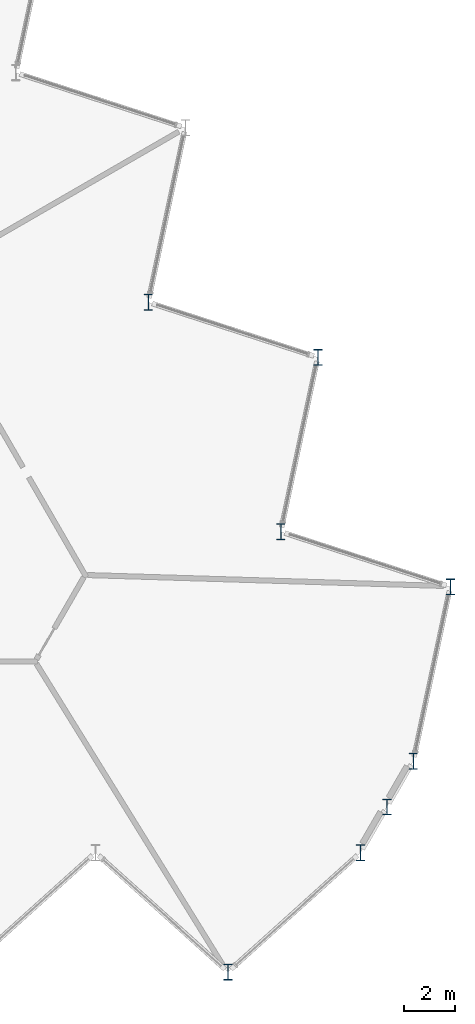
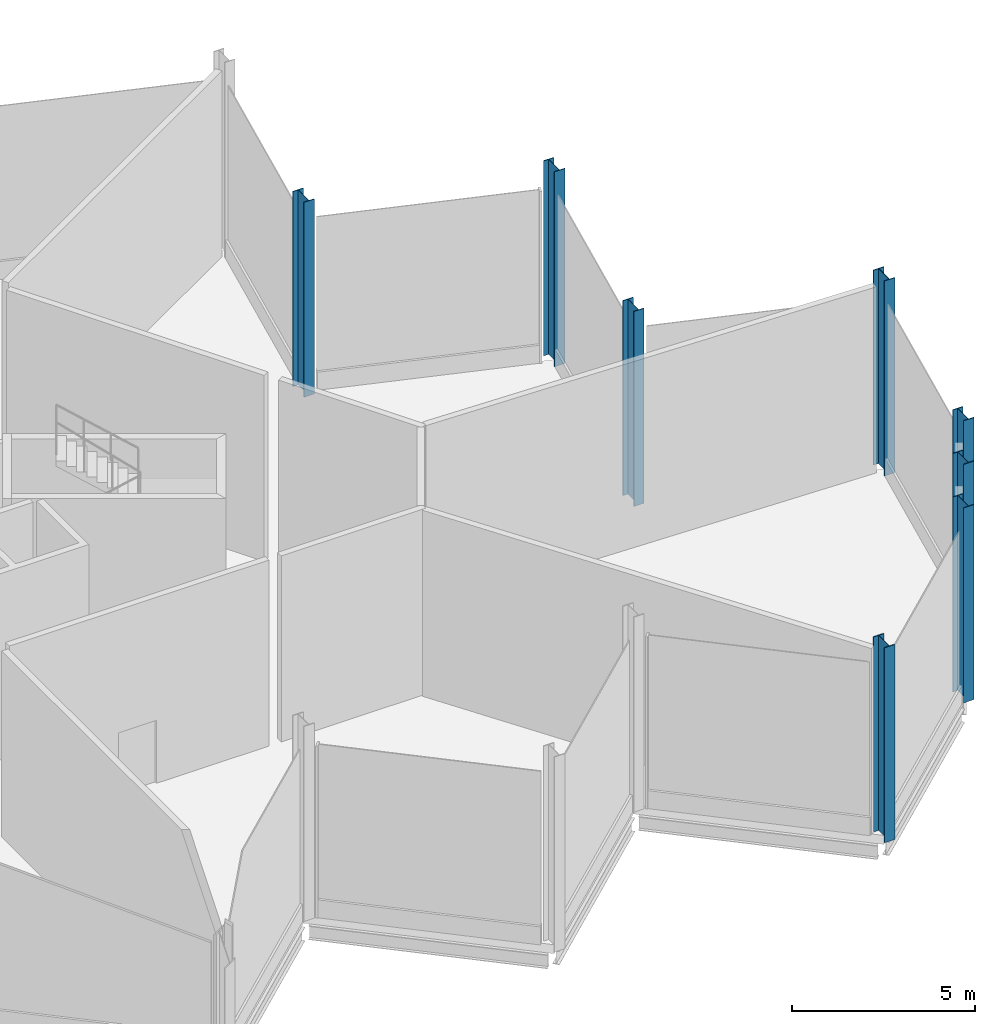
# One storey, part 2 of 12: 8 columns.
"""IFC4 building model written with IfcOpenShell, lengths in metres."""

from ifc_helpers import new_model, si_unit, direction, frame, origin, origin_2d, place, context, subcontext, project, spatial, i_section, extrude, material, material_profile, profile_set, type_object, element, save


model = new_model("IFC4")

# Units and contexts
model_context = context("Model", 3, precision=1e-05, world=origin(), true_north=direction((0.0, 1.0)))
body_context = subcontext(model_context, "Body", "Model", "MODEL_VIEW")
ifc_project = project(units=[si_unit("LENGTHUNIT", "METRE"), si_unit("AREAUNIT", "SQUARE_METRE"), si_unit("VOLUMEUNIT", "CUBIC_METRE"), si_unit("PLANEANGLEUNIT", "RADIAN"), si_unit("MASSUNIT", "GRAM", prefix="KILO")], contexts=[model_context])

# Site, building, storey
site_placement = place(None, origin())
site = spatial("IfcSite", under=ifc_project, at=site_placement, CompositionType="ELEMENT")
building_placement = place(site_placement, origin())
building = spatial("IfcBuilding", under=site, at=building_placement, Name="Cormorant Prow Tower", CompositionType="ELEMENT")
storey_placement = place(building_placement, frame((0.0, 0.0, 421.699951171875)))
storey = spatial("IfcBuildingStorey", under=building, at=storey_placement, Name="L95", CompositionType="ELEMENT", Elevation=421.699951171875)

# Columns
ifc_material = material(Name="Structural steel ASTM A992 Gr 50", Category="steel")
ifc_material_profile = material_profile(ifc_material, i_section(OverallWidth=0.326416015625, OverallDepth=0.621826171875, WebThickness=0.015380859375, FlangeThickness=0.0244140625, at=origin_2d()), Name="W24x131")
ifc_profile_set = profile_set([ifc_material_profile], Name="Structural steel ASTM A992 Gr 50")
column_type = type_object("IfcColumnType", Name="Crown frame column W24x131", PredefinedType="COLUMN", material=ifc_profile_set)
for number, where, z_axis, x_axis, name in (
    (1, (20.800048828125, -22.087890625, 0.0), (0.0, 0.0, 1.0), (1.0, 0.0, 0.0), "Crown frame column at S09 L95"),
    (2, (26.0, -17.40576171875, 0.0), (0.0, 0.0, 1.0), (1.0, 0.0, 0.0), "Crown frame column at ESE00 L95"),
    (3, (27.036865234375, -15.60986328125, 0.0), (0.0, 0.0, 1.0), (1.0, 0.0, 0.0), "Crown frame column at ESE01 L95"),
    (4, (28.07373046875, -13.813720703125, 0.0), (0.0, 0.0, 1.0), (1.0, 0.0, 0.0), "Crown frame column at ENE00 L95"),
    (5, (29.528564453125, -6.969482421875, 0.0), (0.0, 0.0, 1.0), (1.0, 0.0, 0.0), "Crown frame column at ENE01 L95"),
    (6, (22.873779296875, -4.80712890625, 0.0), (0.0, 0.0, 1.0), (1.0, 0.0, 0.0), "Crown frame column at ENE02 L95"),
    (7, (24.32861328125, 2.037353515625, 0.0), (0.0, 0.0, 1.0), (1.0, 0.0, 0.0), "Crown frame column at ENE03 L95"),
    (8, (17.673828125, 4.199462890625, 0.0), (0.0, 0.0, 1.0), (1.0, 0.0, 0.0), "Crown frame column at ENE04 L95"),
):
    element("IfcColumn", number, at=place(storey_placement, frame(where, z_axis=z_axis, x_axis=x_axis)), inside=storey, type_object=column_type, Name=name, PredefinedType="COLUMN", context=body_context, shape_type="SweptSolid", body=[
        extrude(i_section(OverallWidth=0.326416015625, OverallDepth=0.621826171875, WebThickness=0.015380859375, FlangeThickness=0.0244140625, at=origin_2d()), origin(), (0.0, 0.0, 1.0), 6.5),
    ])

save(model, "model.ifc")
